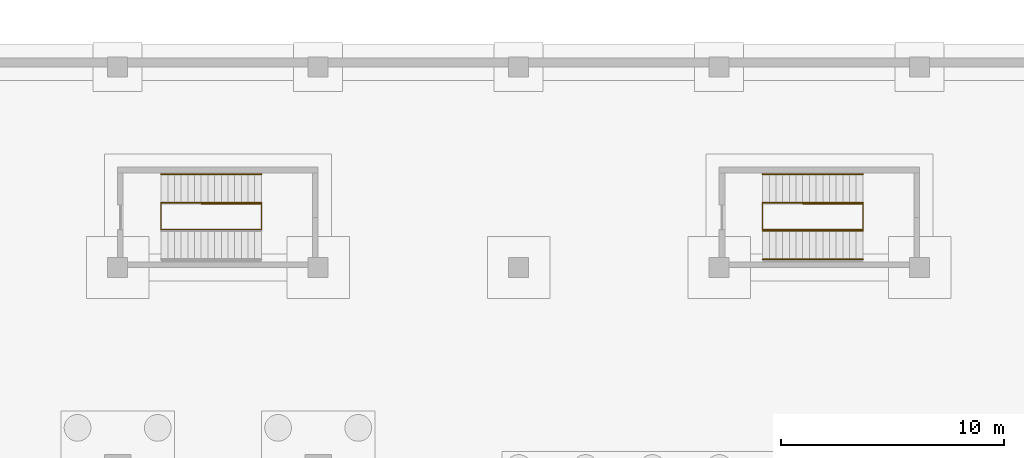
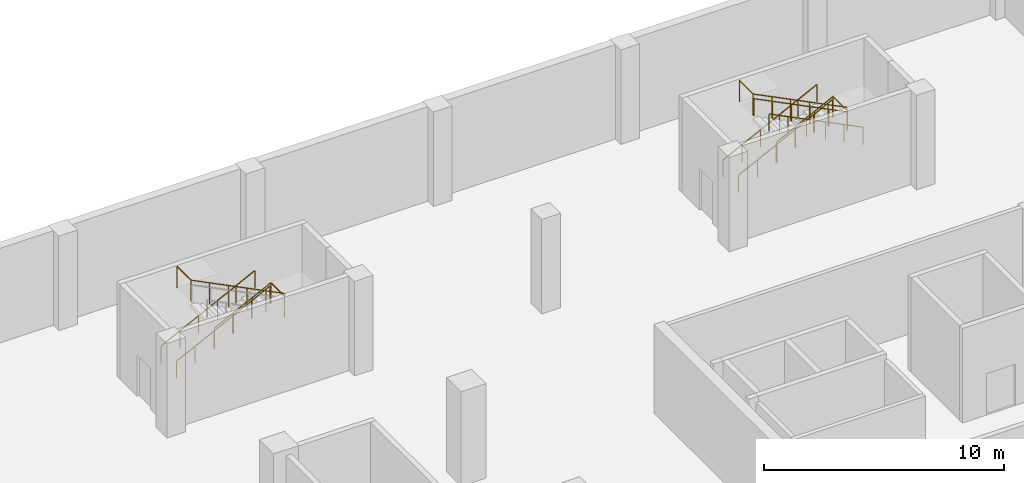
# One storey, part 16 of 17: 8 railings.
"""IFC4 building model written with IfcOpenShell, lengths in metres."""

from ifc_helpers import new_model, si_unit, direction, frame, origin, origin_2d, place, context, subcontext, project, spatial, circle, extrude, material, type_object, element, save


model = new_model("IFC4")

# Units and contexts
model_context = context("Model", 3, precision=1e-05, world=origin(), true_north=direction((0.0, 1.0)))
body_context = subcontext(model_context, "Body", "Model", "MODEL_VIEW")
ifc_project = project(units=[si_unit("LENGTHUNIT", "METRE"), si_unit("AREAUNIT", "SQUARE_METRE"), si_unit("VOLUMEUNIT", "CUBIC_METRE"), si_unit("PLANEANGLEUNIT", "RADIAN"), si_unit("MASSUNIT", "GRAM", prefix="KILO")], contexts=[model_context])

# Site, building, storey
site_placement = place(None, origin())
site = spatial("IfcSite", under=ifc_project, at=site_placement, CompositionType="ELEMENT")
building_placement = place(site_placement, origin())
building = spatial("IfcBuilding", under=site, at=building_placement, Name="Guidao Yard Department Store", CompositionType="ELEMENT")
storey_placement = place(building_placement, frame((0.0, 0.0, -9.89990234375)))
storey = spatial("IfcBuildingStorey", under=building, at=storey_placement, Name="B2", CompositionType="ELEMENT", Elevation=-9.89990234375)

# Railings
ifc_material_1 = material(Name="Steel Q235", Category="steel")
railing_type_1 = type_object("IfcRailingType", Name="Guard steel balustrade 1100", PredefinedType="GUARDRAIL", material=ifc_material_1)
railing_1_placement = place(storey_placement, frame((129.75, 38.85009765625, 1.0498046875)))
element("IfcRailing", 1, at=railing_1_placement, inside=storey, type_object=railing_type_1, Name="Basement stair Y1 guard B2 7", PredefinedType="GUARDRAIL", context=body_context, shape_type="SweptSolid", body=[
    extrude(circle(Radius=0.02392578125, at=origin_2d()), frame((0.0, 0.0, 1.076171875), z_axis=(0.894411015155, 0.0, 0.447245945728), x_axis=(0.0, 1.0, 0.0)), (0.0, 0.0, 1.0), 3.018798828125),
    extrude(circle(Radius=0.02392578125, at=origin_2d()), frame((2.699951171875, 0.0, 2.42626953125), z_axis=(0.0, -1.0, 0.0), x_axis=(1.0, 0.0, 0.0)), (0.0, 0.0, 1.0), 1.150146484375),
    extrude(circle(Radius=0.02392578125, at=origin_2d()), frame((2.699951171875, -1.150146484375, 2.42626953125), z_axis=(0.0, 0.0, 1.0), x_axis=(1.0, 0.0, 0.0)), (0.0, 0.0, 1.0), 0.14990234375),
    extrude(circle(Radius=0.02392578125, at=origin_2d()), frame((2.699951171875, -1.150146484375, 2.576171875), z_axis=(-0.894427191, 0.0, 0.4472135955), x_axis=(0.0, -1.0, 0.0)), (0.0, 0.0, 1.0), 5.03125),
    extrude(circle(Radius=0.02392578125, at=origin_2d()), frame((-1.800048828125, -1.150146484375, 4.826171875), z_axis=(0.0, 1.0, 0.0), x_axis=(-1.0, 0.0, 0.0)), (0.0, 0.0, 1.0), 1.150146484375),
    extrude(circle(Radius=0.02099609375, at=origin_2d()), origin(), (0.0, 0.0, 1.0), 1.052001953125),
    extrude(circle(Radius=0.02099609375, at=origin_2d()), frame((0.89990234375, 0.0, 0.449951171875)), (0.0, 0.0, 1.0), 1.052001953125),
    extrude(circle(Radius=0.02099609375, at=origin_2d()), frame((1.800048828125, 0.0, 0.900146484375)), (0.0, 0.0, 1.0), 1.052001953125),
    extrude(circle(Radius=0.02099609375, at=origin_2d()), frame((2.699951171875, 0.0, 1.35009765625)), (0.0, 0.0, 1.0), 1.052001953125),
    extrude(circle(Radius=0.02099609375, at=origin_2d()), frame((2.699951171875, -1.150146484375, 1.35009765625)), (0.0, 0.0, 1.0), 1.052001953125),
    extrude(circle(Radius=0.02099609375, at=origin_2d()), frame((2.699951171875, -1.150146484375, 1.5)), (0.0, 0.0, 1.0), 1.052001953125),
    extrude(circle(Radius=0.02099609375, at=origin_2d()), frame((1.800048828125, -1.150146484375, 1.949951171875)), (0.0, 0.0, 1.0), 1.052001953125),
    extrude(circle(Radius=0.02099609375, at=origin_2d()), frame((0.89990234375, -1.150146484375, 2.39990234375)), (0.0, 0.0, 1.0), 1.052001953125),
    extrude(circle(Radius=0.02099609375, at=origin_2d()), frame((0.0, -1.150146484375, 2.85009765625)), (0.0, 0.0, 1.0), 1.052001953125),
    extrude(circle(Radius=0.02099609375, at=origin_2d()), frame((-0.900146484375, -1.150146484375, 3.300048828125)), (0.0, 0.0, 1.0), 1.052001953125),
    extrude(circle(Radius=0.02099609375, at=origin_2d()), frame((-1.800048828125, -1.150146484375, 3.75)), (0.0, 0.0, 1.0), 1.052001953125),
    extrude(circle(Radius=0.02099609375, at=origin_2d()), frame((-1.800048828125, 0.0, 3.75)), (0.0, 0.0, 1.0), 1.052001953125),
])
railing_2_placement = place(storey_placement, frame((156.75, 38.85009765625, 1.0498046875)))
element("IfcRailing", 2, at=railing_2_placement, inside=storey, type_object=railing_type_1, Name="Basement stair Y2 guard B2 8", PredefinedType="GUARDRAIL", context=body_context, shape_type="SweptSolid", body=[
    extrude(circle(Radius=0.02392578125, at=origin_2d()), frame((0.0, 0.0, 1.076171875), z_axis=(0.894411015155, 0.0, 0.447245945728), x_axis=(0.0, 1.0, 0.0)), (0.0, 0.0, 1.0), 3.018798828125),
    extrude(circle(Radius=0.02392578125, at=origin_2d()), frame((2.699951171875, 0.0, 2.42626953125), z_axis=(0.0, -1.0, 0.0), x_axis=(1.0, 0.0, 0.0)), (0.0, 0.0, 1.0), 1.150146484375),
    extrude(circle(Radius=0.02392578125, at=origin_2d()), frame((2.699951171875, -1.150146484375, 2.42626953125), z_axis=(0.0, 0.0, 1.0), x_axis=(1.0, 0.0, 0.0)), (0.0, 0.0, 1.0), 0.14990234375),
    extrude(circle(Radius=0.02392578125, at=origin_2d()), frame((2.699951171875, -1.150146484375, 2.576171875), z_axis=(-0.894427191, 0.0, 0.4472135955), x_axis=(0.0, -1.0, 0.0)), (0.0, 0.0, 1.0), 5.03125),
    extrude(circle(Radius=0.02392578125, at=origin_2d()), frame((-1.800048828125, -1.150146484375, 4.826171875), z_axis=(0.0, 1.0, 0.0), x_axis=(-1.0, 0.0, 0.0)), (0.0, 0.0, 1.0), 1.150146484375),
    extrude(circle(Radius=0.02099609375, at=origin_2d()), origin(), (0.0, 0.0, 1.0), 1.052001953125),
    extrude(circle(Radius=0.02099609375, at=origin_2d()), frame((0.89990234375, 0.0, 0.449951171875)), (0.0, 0.0, 1.0), 1.052001953125),
    extrude(circle(Radius=0.02099609375, at=origin_2d()), frame((1.800048828125, 0.0, 0.900146484375)), (0.0, 0.0, 1.0), 1.052001953125),
    extrude(circle(Radius=0.02099609375, at=origin_2d()), frame((2.699951171875, 0.0, 1.35009765625)), (0.0, 0.0, 1.0), 1.052001953125),
    extrude(circle(Radius=0.02099609375, at=origin_2d()), frame((2.699951171875, -1.150146484375, 1.35009765625)), (0.0, 0.0, 1.0), 1.052001953125),
    extrude(circle(Radius=0.02099609375, at=origin_2d()), frame((2.699951171875, -1.150146484375, 1.5)), (0.0, 0.0, 1.0), 1.052001953125),
    extrude(circle(Radius=0.02099609375, at=origin_2d()), frame((1.800048828125, -1.150146484375, 1.949951171875)), (0.0, 0.0, 1.0), 1.052001953125),
    extrude(circle(Radius=0.02099609375, at=origin_2d()), frame((0.89990234375, -1.150146484375, 2.39990234375)), (0.0, 0.0, 1.0), 1.052001953125),
    extrude(circle(Radius=0.02099609375, at=origin_2d()), frame((0.0, -1.150146484375, 2.85009765625)), (0.0, 0.0, 1.0), 1.052001953125),
    extrude(circle(Radius=0.02099609375, at=origin_2d()), frame((-0.900146484375, -1.150146484375, 3.300048828125)), (0.0, 0.0, 1.0), 1.052001953125),
    extrude(circle(Radius=0.02099609375, at=origin_2d()), frame((-1.800048828125, -1.150146484375, 3.75)), (0.0, 0.0, 1.0), 1.052001953125),
    extrude(circle(Radius=0.02099609375, at=origin_2d()), frame((-1.800048828125, 0.0, 3.75)), (0.0, 0.0, 1.0), 1.052001953125),
])
ifc_material_2 = material(Name="Steel Q235", Category="steel")
railing_type_2 = type_object("IfcRailingType", Name="Handrail steel tube 48", PredefinedType="HANDRAIL", material=ifc_material_2)
for number, where, name in (
    (3, (127.949951171875, 40.18994140625, 0.14990234375), "Basement stair Y1 hand rail B2 25"),
    (4, (127.949951171875, 38.909912109375, 0.14990234375), "Basement stair Y1 hand rail B2 26"),
    (5, (154.949951171875, 40.18994140625, 0.14990234375), "Basement stair Y2 hand rail B2 29"),
    (6, (154.949951171875, 38.909912109375, 0.14990234375), "Basement stair Y2 hand rail B2 30"),
):
    element("IfcRailing", number, at=place(storey_placement, frame(where)), inside=storey, type_object=railing_type_2, Name=name, PredefinedType="HANDRAIL", context=body_context, shape_type="SweptSolid", body=[
        extrude(circle(Radius=0.02392578125, at=origin_2d()), frame((0.0, 0.0, 0.8759765625), z_axis=(0.894427191, 0.0, 0.4472135955), x_axis=(0.0, 1.0, 0.0)), (0.0, 0.0, 1.0), 5.03125),
        extrude(circle(Radius=0.02099609375, at=origin_2d()), origin(), (0.0, 0.0, 1.0), 0.851806640625),
        extrude(circle(Radius=0.02099609375, at=origin_2d()), frame((0.89990234375, 0.0, 0.449951171875)), (0.0, 0.0, 1.0), 0.851806640625),
        extrude(circle(Radius=0.02099609375, at=origin_2d()), frame((1.800048828125, 0.0, 0.89990234375)), (0.0, 0.0, 1.0), 0.851806640625),
        extrude(circle(Radius=0.02099609375, at=origin_2d()), frame((2.699951171875, 0.0, 1.35009765625)), (0.0, 0.0, 1.0), 0.851806640625),
        extrude(circle(Radius=0.02099609375, at=origin_2d()), frame((3.60009765625, 0.0, 1.800048828125)), (0.0, 0.0, 1.0), 0.851806640625),
        extrude(circle(Radius=0.02099609375, at=origin_2d()), frame((4.5, 0.0, 2.25)), (0.0, 0.0, 1.0), 0.851806640625),
    ])
for number, where, name in (
    (7, (159.449951171875, 37.639892578125, 2.5498046875), "Basement stair Y2 hand rail B2 31"),
    (8, (159.449951171875, 36.360107421875, 2.5498046875), "Basement stair Y2 hand rail B2 32"),
):
    element("IfcRailing", number, at=place(storey_placement, frame(where)), inside=storey, type_object=railing_type_2, Name=name, PredefinedType="HANDRAIL", context=body_context, shape_type="SweptSolid", body=[
        extrude(circle(Radius=0.02392578125, at=origin_2d()), frame((0.0, 0.0, 0.8759765625), z_axis=(-0.894427191, 0.0, 0.4472135955), x_axis=(0.0, -1.0, 0.0)), (0.0, 0.0, 1.0), 5.03125),
        extrude(circle(Radius=0.02099609375, at=origin_2d()), origin(), (0.0, 0.0, 1.0), 0.851806640625),
        extrude(circle(Radius=0.02099609375, at=origin_2d()), frame((-0.89990234375, 0.0, 0.449951171875)), (0.0, 0.0, 1.0), 0.851806640625),
        extrude(circle(Radius=0.02099609375, at=origin_2d()), frame((-1.800048828125, 0.0, 0.89990234375)), (0.0, 0.0, 1.0), 0.851806640625),
        extrude(circle(Radius=0.02099609375, at=origin_2d()), frame((-2.699951171875, 0.0, 1.35009765625)), (0.0, 0.0, 1.0), 0.851806640625),
        extrude(circle(Radius=0.02099609375, at=origin_2d()), frame((-3.60009765625, 0.0, 1.800048828125)), (0.0, 0.0, 1.0), 0.851806640625),
        extrude(circle(Radius=0.02099609375, at=origin_2d()), frame((-4.5, 0.0, 2.25)), (0.0, 0.0, 1.0), 0.851806640625),
    ])

save(model, "model.ifc")
